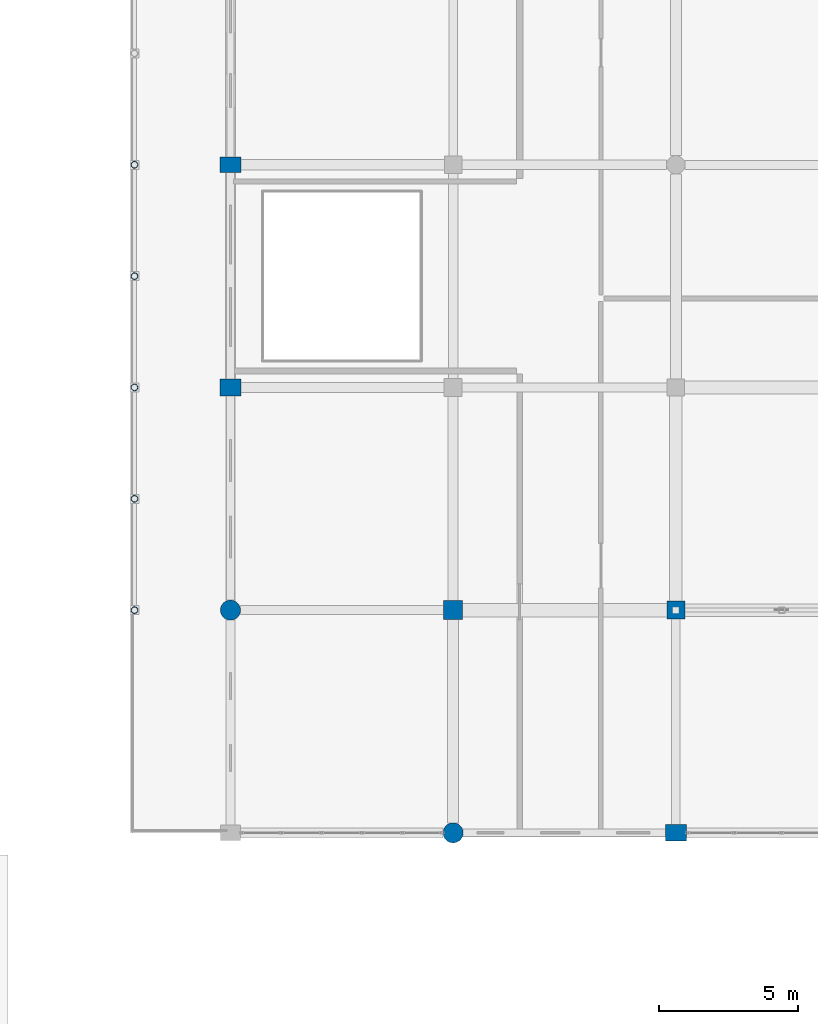
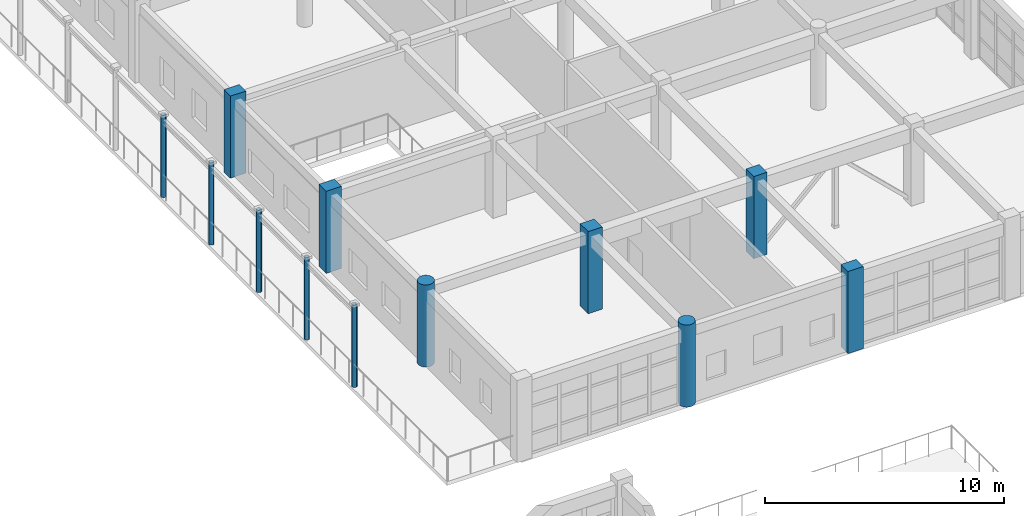
# One storey, part 25 of 195: 12 columns.
"""IFC4 building model written with IfcOpenShell, lengths in metres."""

from ifc_helpers import new_model, si_unit, direction, frame, origin, origin_2d, place, context, subcontext, project, spatial, rectangle, circle, hollow_circle, extrude, material, material_profile, profile_set, type_object, element, save


model = new_model("IFC4")

# Units and contexts
model_context = context("Model", 3, precision=1e-05, world=origin(), true_north=direction((0.0, 1.0)))
body_context = subcontext(model_context, "Body", "Model", "MODEL_VIEW")
ifc_project = project(units=[si_unit("LENGTHUNIT", "METRE"), si_unit("AREAUNIT", "SQUARE_METRE"), si_unit("VOLUMEUNIT", "CUBIC_METRE"), si_unit("PLANEANGLEUNIT", "RADIAN"), si_unit("MASSUNIT", "GRAM", prefix="KILO")], contexts=[model_context])

# Site, building, storey
site_placement = place(None, origin())
site = spatial("IfcSite", under=ifc_project, at=site_placement, CompositionType="ELEMENT")
building_placement = place(site_placement, origin())
building = spatial("IfcBuilding", under=site, at=building_placement, Name="Kharva Crest Polytechnic", CompositionType="ELEMENT")
storey_placement = place(building_placement, frame((0.0, 0.0, 9.0)))
storey = spatial("IfcBuildingStorey", under=building, at=storey_placement, Name="L02", CompositionType="ELEMENT", Elevation=9.0)

# Columns
ifc_material_1 = material(Name="Concrete C40/50", Category="concrete")
ifc_material_profile_1 = material_profile(ifc_material_1, rectangle(XDim=0.75, YDim=0.550048828125, at=origin_2d()), Name="RECT 750 X 550")
ifc_profile_set_1 = profile_set([ifc_material_profile_1], Name="Concrete C40/50")
column_type_1 = type_object("IfcColumnType", Name="COL-EXT-750X550", PredefinedType="COLUMN", material=ifc_profile_set_1)
column_1_placement = place(storey_placement, frame((152.800048828125, 62.800048828125, 0.0), z_axis=(0.0, 0.0, 1.0), x_axis=(1.0, 0.0, 0.0)))
element("IfcColumn", 1, at=column_1_placement, inside=storey, type_object=column_type_1, Name="L02 Column 20/J", PredefinedType="COLUMN", context=body_context, shape_type="SweptSolid", body=[
    extrude(rectangle(XDim=0.75, YDim=0.550048828125, at=origin_2d()), origin(), (0.0, 0.0, 1.0), 4.199951171875),
])
ifc_material_profile_2 = material_profile(ifc_material_1, rectangle(XDim=0.75, YDim=0.60009765625, at=origin_2d()), Name="RECT 750 X 600")
ifc_profile_set_2 = profile_set([ifc_material_profile_2], Name="Concrete C40/50")
column_type_2 = type_object("IfcColumnType", Name="COL-EXT-750X600", PredefinedType="COLUMN", material=ifc_profile_set_2)
for number, where, z_axis, x_axis, name in (
    (2, (152.800048828125, 54.800048828125, 0.0), (0.0, 0.0, 1.0), (1.0, 0.0, 0.0), "L02 Column 20/H"),
    (3, (168.800048828125, 38.800048828125, 0.0), (0.0, 0.0, 1.0), (1.0, 0.0, 0.0), "L02 Column 22/FJ"),
):
    element("IfcColumn", number, at=place(storey_placement, frame(where, z_axis=z_axis, x_axis=x_axis)), inside=storey, type_object=column_type_2, Name=name, PredefinedType="COLUMN", context=body_context, shape_type="SweptSolid", body=[
        extrude(rectangle(XDim=0.75, YDim=0.60009765625, at=origin_2d()), origin(), (0.0, 0.0, 1.0), 4.199951171875),
    ])
ifc_material_profile_3 = material_profile(ifc_material_1, circle(Radius=0.360107421875, at=origin_2d()), Name="DIA 720")
ifc_profile_set_3 = profile_set([ifc_material_profile_3], Name="Concrete C40/50")
column_type_3 = type_object("IfcColumnType", Name="COL-EXT-DIA720", PredefinedType="COLUMN", material=ifc_profile_set_3)
for number, where, z_axis, x_axis, name in (
    (4, (152.800048828125, 46.800048828125, 0.0), (0.0, 0.0, 1.0), (1.0, 0.0, 0.0), "L02 Column 20/G"),
    (5, (160.800048828125, 38.800048828125, 0.0), (0.0, 0.0, 1.0), (1.0, 0.0, 0.0), "L02 Column 21/FJ"),
):
    element("IfcColumn", number, at=place(storey_placement, frame(where, z_axis=z_axis, x_axis=x_axis)), inside=storey, type_object=column_type_3, Name=name, PredefinedType="COLUMN", context=body_context, shape_type="SweptSolid", body=[
        extrude(circle(Radius=0.360107421875, at=origin_2d()), origin(), (0.0, 0.0, 1.0), 4.199951171875),
    ])
ifc_material_profile_4 = material_profile(ifc_material_1, rectangle(XDim=0.64990234375, YDim=0.64990234375, at=origin_2d()), Name="RECT 650 X 650")
ifc_profile_set_4 = profile_set([ifc_material_profile_4], Name="Concrete C40/50")
column_type_4 = type_object("IfcColumnType", Name="COL-INT-650X650", PredefinedType="COLUMN", material=ifc_profile_set_4)
column_2_placement = place(storey_placement, frame((168.800048828125, 46.800048828125, 0.0), z_axis=(0.0, 0.0, 1.0), x_axis=(1.0, 0.0, 0.0)))
element("IfcColumn", 6, at=column_2_placement, inside=storey, type_object=column_type_4, Name="L02 Column 22/G", PredefinedType="COLUMN", context=body_context, shape_type="SweptSolid", body=[
    extrude(rectangle(XDim=0.64990234375, YDim=0.64990234375, at=origin_2d()), origin(), (0.0, 0.0, 1.0), 4.199951171875),
])
ifc_material_profile_5 = material_profile(ifc_material_1, rectangle(XDim=0.679931640625, YDim=0.679931640625, at=origin_2d()), Name="RECT 680 X 680")
ifc_profile_set_5 = profile_set([ifc_material_profile_5], Name="Concrete C40/50")
column_type_5 = type_object("IfcColumnType", Name="COL-INT-680X680", PredefinedType="COLUMN", material=ifc_profile_set_5)
column_3_placement = place(storey_placement, frame((160.800048828125, 46.800048828125, 0.0), z_axis=(0.0, 0.0, 1.0), x_axis=(1.0, 0.0, 0.0)))
element("IfcColumn", 7, at=column_3_placement, inside=storey, type_object=column_type_5, Name="L02 Column 21/G", PredefinedType="COLUMN", context=body_context, shape_type="SweptSolid", body=[
    extrude(rectangle(XDim=0.679931640625, YDim=0.679931640625, at=origin_2d()), origin(), (0.0, 0.0, 1.0), 4.199951171875),
])
ifc_material_2 = material(Name="Steel S355", Category="steel")
ifc_material_profile_6 = material_profile(ifc_material_2, hollow_circle(Radius=0.122314453125, WallThickness=0.010009765625, at=origin_2d()), Name="CHS 244.5X10.0")
ifc_profile_set_6 = profile_set([ifc_material_profile_6], Name="Steel S355")
column_type_6 = type_object("IfcColumnType", Name="COL-STL-CHS244", PredefinedType="COLUMN", material=ifc_profile_set_6)
for number, where, z_axis, x_axis, name in (
    (8, (149.35009765625, 46.800048828125, 0.0), (0.0, 0.0, 1.0), (1.0, 0.0, 0.0), "L02 Colonnade Column VE01"),
    (9, (149.35009765625, 54.800048828125, 0.0), (0.0, 0.0, 1.0), (1.0, 0.0, 0.0), "L02 Colonnade Column VE02"),
    (10, (149.35009765625, 62.800048828125, 0.0), (0.0, 0.0, 1.0), (1.0, 0.0, 0.0), "L02 Colonnade Column VE03"),
    (11, (149.35009765625, 50.800048828125, 0.0), (0.0, 0.0, 1.0), (1.0, 0.0, 0.0), "L02 Colonnade Mid Column VEM01"),
    (12, (149.35009765625, 58.800048828125, 0.0), (0.0, 0.0, 1.0), (1.0, 0.0, 0.0), "L02 Colonnade Mid Column VEM02"),
):
    element("IfcColumn", number, at=place(storey_placement, frame(where, z_axis=z_axis, x_axis=x_axis)), inside=storey, type_object=column_type_6, Name=name, PredefinedType="COLUMN", context=body_context, shape_type="SweptSolid", body=[
        extrude(hollow_circle(Radius=0.122314453125, WallThickness=0.010009765625, at=origin_2d()), origin(), (0.0, 0.0, 1.0), 4.199951171875),
    ])

save(model, "model.ifc")
